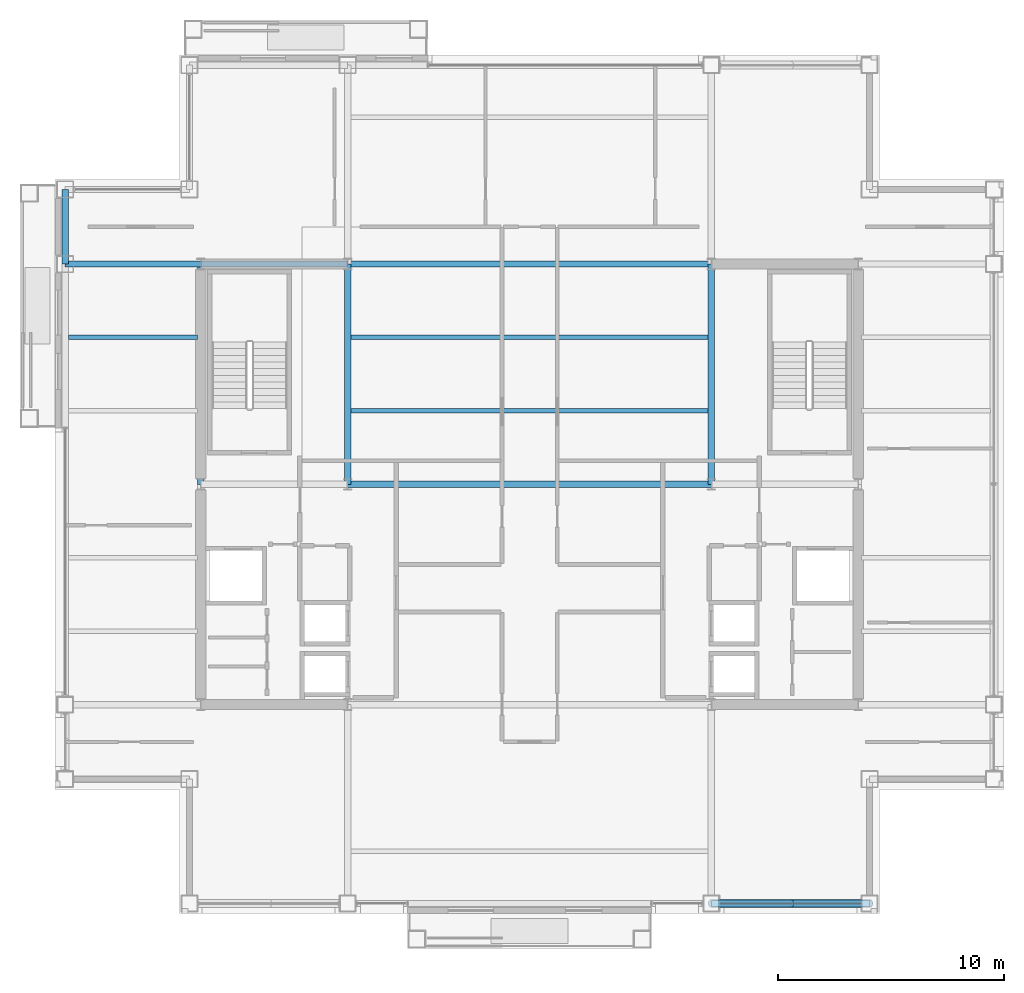
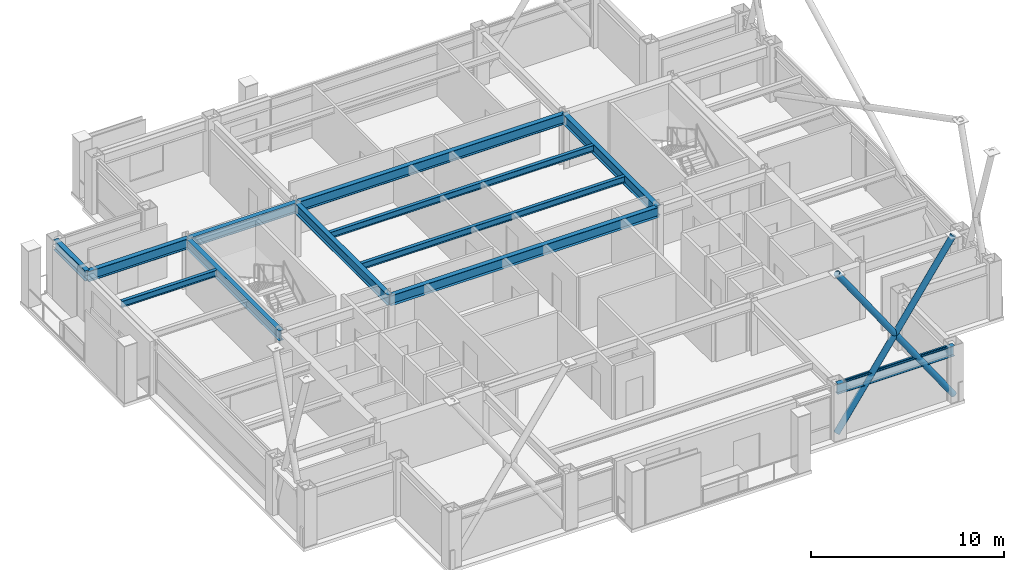
# One storey, part 11 of 30: 12 beams, 4 members, 1 element without a shape of its own.
"""IFC4 building model written with IfcOpenShell, lengths in metres."""

from ifc_helpers import new_model, si_unit, direction, frame, origin, origin_2d, place, context, subcontext, project, spatial, hollow_rectangle, hollow_circle, i_section, extrude, material, layer, layer_set, material_profile, profile_set, type_object, element, aggregate, save


model = new_model("IFC4")

# Units and contexts
model_context = context("Model", 3, precision=1e-05, world=origin(), true_north=direction((0.0, 1.0)))
body_context = subcontext(model_context, "Body", "Model", "MODEL_VIEW")
ifc_project = project(units=[si_unit("LENGTHUNIT", "METRE"), si_unit("AREAUNIT", "SQUARE_METRE"), si_unit("VOLUMEUNIT", "CUBIC_METRE"), si_unit("PLANEANGLEUNIT", "RADIAN"), si_unit("MASSUNIT", "GRAM", prefix="KILO")], contexts=[model_context])

# Site, building, storey
site_placement = place(None, origin())
site = spatial("IfcSite", under=ifc_project, at=site_placement, CompositionType="ELEMENT")
building_placement = place(site_placement, origin())
building = spatial("IfcBuilding", under=site, at=building_placement, Name="Brelmoor Portico Tower", CompositionType="ELEMENT")
storey_placement = place(building_placement, frame((0.0, 0.0, 173.10009765625)))
storey = spatial("IfcBuildingStorey", under=building, at=storey_placement, Name="L45", CompositionType="ELEMENT", Elevation=173.10009765625)

# Beams
ifc_material_1 = material(Name="Steel Q355B", Category="steel")
ifc_material_profile_1 = material_profile(ifc_material_1, i_section(OverallWidth=0.199951171875, OverallDepth=0.39990234375, WebThickness=0.008056640625, FlangeThickness=0.012939453125, at=origin_2d()), Name="HN 400x200x8x13")
ifc_profile_set_1 = profile_set([ifc_material_profile_1], Name="Steel Q355B")
beam_type_1 = type_object("IfcBeamType", Name="BM-JS-400", PredefinedType="JOIST", material=ifc_profile_set_1)
for number, where, z_axis, x_axis, name in (
    (1, (-7.909912109375, 3.25, 3.199951171875), (1.0, 0.0, 0.0), (0.0, 1.0, 0.0), "L45 Secondary Composite Joist JS-C02"),
    (2, (-7.909912109375, 6.5, 3.199951171875), (1.0, 0.0, 0.0), (0.0, 1.0, 0.0), "L45 Secondary Composite Joist JS-C03"),
):
    element("IfcBeam", number, at=place(storey_placement, frame(where, z_axis=z_axis, x_axis=x_axis)), inside=storey, type_object=beam_type_1, Name=name, PredefinedType="JOIST", context=body_context, shape_type="SweptSolid", body=[
        extrude(i_section(OverallWidth=0.199951171875, OverallDepth=0.39990234375, WebThickness=0.008056640625, FlangeThickness=0.012939453125, at=origin_2d()), origin(), (0.0, 0.0, 1.0), 15.81982421875),
    ])
beam_1_placement = place(storey_placement, frame((-20.409912109375, 6.5, 3.199951171875), z_axis=(1.0, 0.0, 0.0), x_axis=(0.0, 1.0, 0.0)))
element("IfcBeam", 3, at=beam_1_placement, inside=storey, type_object=beam_type_1, Name="L45 Secondary Wing Joist JS-W08", PredefinedType="JOIST", context=body_context, shape_type="SweptSolid", body=[
    extrude(i_section(OverallWidth=0.199951171875, OverallDepth=0.39990234375, WebThickness=0.008056640625, FlangeThickness=0.012939453125, at=origin_2d()), origin(), (0.0, 0.0, 1.0), 5.719970703125),
])
ifc_material_profile_2 = material_profile(ifc_material_1, i_section(OverallWidth=0.280029296875, OverallDepth=0.64990234375, WebThickness=0.012939453125, FlangeThickness=0.02197265625, at=origin_2d()), Name="HN 650x280x13x22")
ifc_profile_set_2 = profile_set([ifc_material_profile_2], Name="Steel Q355B")
beam_type_2 = type_object("IfcBeamType", Name="BM-PG-650", PredefinedType="BEAM", material=ifc_profile_set_2)
for number, where, z_axis, x_axis, name in (
    (4, (-14.550048828125, 0.0, 3.074951171875), (0.0, 1.0, 0.0), (-1.0, 0.0, 0.0), "L45 Primary Floor Girder PG-02"),
    (5, (-8.050048828125, 0.0, 3.074951171875), (0.0, 1.0, 0.0), (-1.0, 0.0, 0.0), "L45 Primary Floor Girder PG-04"),
    (6, (8.050048828125, 0.0, 3.074951171875), (0.0, 1.0, 0.0), (-1.0, 0.0, 0.0), "L45 Primary Floor Girder PG-07"),
):
    element("IfcBeam", number, at=place(storey_placement, frame(where, z_axis=z_axis, x_axis=x_axis)), inside=storey, type_object=beam_type_2, Name=name, PredefinedType="BEAM", context=body_context, shape_type="SweptSolid", body=[
        extrude(i_section(OverallWidth=0.280029296875, OverallDepth=0.64990234375, WebThickness=0.012939453125, FlangeThickness=0.02197265625, at=origin_2d()), origin(), (0.0, 0.0, 1.0), 9.75),
    ])
beam_2_placement = place(storey_placement, frame((-8.050048828125, 0.0, 3.074951171875), z_axis=(1.0, 0.0, 0.0), x_axis=(0.0, 1.0, 0.0)))
element("IfcBeam", 7, at=beam_2_placement, inside=storey, type_object=beam_type_2, Name="L45 Primary Floor Girder PG-17", PredefinedType="BEAM", context=body_context, shape_type="SweptSolid", body=[
    extrude(i_section(OverallWidth=0.280029296875, OverallDepth=0.64990234375, WebThickness=0.012939453125, FlangeThickness=0.02197265625, at=origin_2d()), origin(), (0.0, 0.0, 1.0), 16.10009765625),
])
beam_3_placement = place(storey_placement, frame((-20.550048828125, 9.75, 3.074951171875), z_axis=(1.0, 0.0, 0.0), x_axis=(0.0, 1.0, 0.0)))
element("IfcBeam", 8, at=beam_3_placement, inside=storey, type_object=beam_type_2, Name="L45 Primary Floor Girder PG-19", PredefinedType="BEAM", context=body_context, shape_type="SweptSolid", body=[
    extrude(i_section(OverallWidth=0.280029296875, OverallDepth=0.64990234375, WebThickness=0.012939453125, FlangeThickness=0.02197265625, at=origin_2d()), origin(), (0.0, 0.0, 1.0), 6.0),
])
beam_4_placement = place(storey_placement, frame((-14.550048828125, 9.75, 3.074951171875), z_axis=(1.0, 0.0, 0.0), x_axis=(0.0, 1.0, 0.0)))
element("IfcBeam", 9, at=beam_4_placement, inside=storey, type_object=beam_type_2, Name="L45 Primary Floor Girder PG-20", PredefinedType="BEAM", context=body_context, shape_type="SweptSolid", body=[
    extrude(i_section(OverallWidth=0.280029296875, OverallDepth=0.64990234375, WebThickness=0.012939453125, FlangeThickness=0.02197265625, at=origin_2d()), origin(), (0.0, 0.0, 1.0), 6.5),
])
beam_5_placement = place(storey_placement, frame((-8.050048828125, 9.75, 3.074951171875), z_axis=(1.0, 0.0, 0.0), x_axis=(0.0, 1.0, 0.0)))
element("IfcBeam", 10, at=beam_5_placement, inside=storey, type_object=beam_type_2, Name="L45 Primary Floor Girder PG-21", PredefinedType="BEAM", context=body_context, shape_type="SweptSolid", body=[
    extrude(i_section(OverallWidth=0.280029296875, OverallDepth=0.64990234375, WebThickness=0.012939453125, FlangeThickness=0.02197265625, at=origin_2d()), origin(), (0.0, 0.0, 1.0), 16.10009765625),
])
ifc_material_profile_3 = material_profile(ifc_material_1, i_section(OverallWidth=0.280029296875, OverallDepth=0.64990234375, WebThickness=0.012939453125, FlangeThickness=0.02197265625, at=origin_2d()), Name="HN 650x280x13x22")
ifc_profile_set_3 = profile_set([ifc_material_profile_3], Name="Steel Q355B")
beam_type_3 = type_object("IfcBeamType", Name="BM-SP-650", PredefinedType="SPANDREL", material=ifc_profile_set_3)
beam_6_placement = place(storey_placement, frame((8.050048828125, -18.550048828125, 3.074951171875), z_axis=(1.0, 0.0, 0.0), x_axis=(0.0, 1.0, 0.0)))
element("IfcBeam", 11, at=beam_6_placement, inside=storey, type_object=beam_type_3, Name="L45 Perimeter Spandrel Beam SP-03", PredefinedType="SPANDREL", context=body_context, shape_type="SweptSolid", body=[
    extrude(i_section(OverallWidth=0.280029296875, OverallDepth=0.64990234375, WebThickness=0.012939453125, FlangeThickness=0.02197265625, at=origin_2d()), origin(), (0.0, 0.0, 1.0), 7.0),
])
beam_7_placement = place(storey_placement, frame((-20.550048828125, 9.75, 3.074951171875), z_axis=(0.0, 1.0, 0.0), x_axis=(-1.0, 0.0, 0.0)))
element("IfcBeam", 12, at=beam_7_placement, inside=storey, type_object=beam_type_3, Name="L45 Perimeter Spandrel Beam SP-13", PredefinedType="SPANDREL", context=body_context, shape_type="SweptSolid", body=[
    extrude(i_section(OverallWidth=0.280029296875, OverallDepth=0.64990234375, WebThickness=0.012939453125, FlangeThickness=0.02197265625, at=origin_2d()), origin(), (0.0, 0.0, 1.0), 3.300048828125),
])

# Members
ifc_material_profile_4 = material_profile(ifc_material_1, hollow_circle(Radius=0.177978515625, WallThickness=0.01611328125, at=origin_2d()), Name="CHS 356x16")
ifc_profile_set_4 = profile_set([ifc_material_profile_4], Name="Steel Q355B")
member_type_1 = type_object("IfcMemberType", Name="MB-BELT-DIAG2", PredefinedType="BRACE", material=ifc_profile_set_4)
member_1_placement = place(storey_placement, frame((8.050048828125, -18.550048828125, 0.25), z_axis=(0.569638640345, 0.0, 0.821895260618), x_axis=(0.0, 1.0, 0.0)))
element("IfcMember", 13, at=member_1_placement, inside=storey, type_object=member_type_1, Name="L45 Continuous Mega-X Brace 099A", PredefinedType="BRACE", context=body_context, shape_type="SweptSolid", body=[
    extrude(hollow_circle(Radius=0.177978515625, WallThickness=0.01611328125, at=origin_2d()), origin(), (0.0, 0.0, 1.0), 12.28857421875),
])
member_2_placement = place(storey_placement, frame((15.050048828125, -18.550048828125, 0.25), z_axis=(-0.569647942054, 0.0, 0.821888813717), x_axis=(0.0, -1.0, 0.0)))
element("IfcMember", 14, at=member_2_placement, inside=storey, type_object=member_type_1, Name="L45 Split Mega-X Brace 099B1", PredefinedType="BRACE", context=body_context, shape_type="SweptSolid", body=[
    extrude(hollow_circle(Radius=0.177978515625, WallThickness=0.01611328125, at=origin_2d()), origin(), (0.0, 0.0, 1.0), 6.14404296875),
])
member_3_placement = place(storey_placement, frame((11.550048828125, -18.550048828125, 5.2998046875), z_axis=(-0.569629338867, 0.0, 0.821901707203), x_axis=(0.0, -1.0, 0.0)))
element("IfcMember", 15, at=member_3_placement, inside=storey, type_object=member_type_1, Name="L45 Split Mega-X Brace 099B2", PredefinedType="BRACE", context=body_context, shape_type="SweptSolid", body=[
    extrude(hollow_circle(Radius=0.177978515625, WallThickness=0.01611328125, at=origin_2d()), origin(), (0.0, 0.0, 1.0), 6.144287109375),
])

# Curtain wall, member
ifc_material_2 = material(Name="Anodised Aluminium Alloy 6063-T6", Category="aluminium")
ifc_layer = layer(ifc_material_2, 0.179931640625)
ifc_layer_set = layer_set([ifc_layer], Name="Anodised Aluminium Alloy 6063-T6")
curtain_wall_type = type_object("IfcCurtainWallType", Name="CW-TOWER-Z3-XB", PredefinedType="NOTDEFINED", material=ifc_layer_set)
curtain_wall_placement = place(storey_placement, origin())
curtain_wall = element("IfcCurtainWall", 16, at=curtain_wall_placement, inside=storey, type_object=curtain_wall_type, Name="L45 Curtain Wall CW-L45-1R-2", PredefinedType="NOTDEFINED")
ifc_material_profile_5 = material_profile(ifc_material_2, hollow_rectangle(XDim=0.06005859375, YDim=0.125, WallThickness=0.00341796875, at=origin_2d()), Name="ALU TRANSOM 60x125")
ifc_profile_set_5 = profile_set([ifc_material_profile_5], Name="Anodised Aluminium Alloy 6063-T6")
member_type_2 = type_object("IfcMemberType", Name="MB-CW-TRAN-125", PredefinedType="USERDEFINED", material=ifc_profile_set_5)
member_4_placement = place(storey_placement, frame((8.43505859375, -18.550048828125, 3.33740234375), z_axis=(1.0, 0.0, 0.0), x_axis=(0.0, 1.0, 0.0)))
member_4 = element("IfcMember", 17, at=member_4_placement, type_object=member_type_2, Name="CW-L45-1R-2 Transom 1-00", ObjectType="TRANSOM", PredefinedType="USERDEFINED", context=body_context, shape_type="SweptSolid", body=[
    extrude(hollow_rectangle(XDim=0.06005859375, YDim=0.125, WallThickness=0.00341796875, at=origin_2d()), origin(), (0.0, 0.0, 1.0), 6.22998046875),
])
aggregate(curtain_wall, [member_4])

save(model, "model.ifc")
